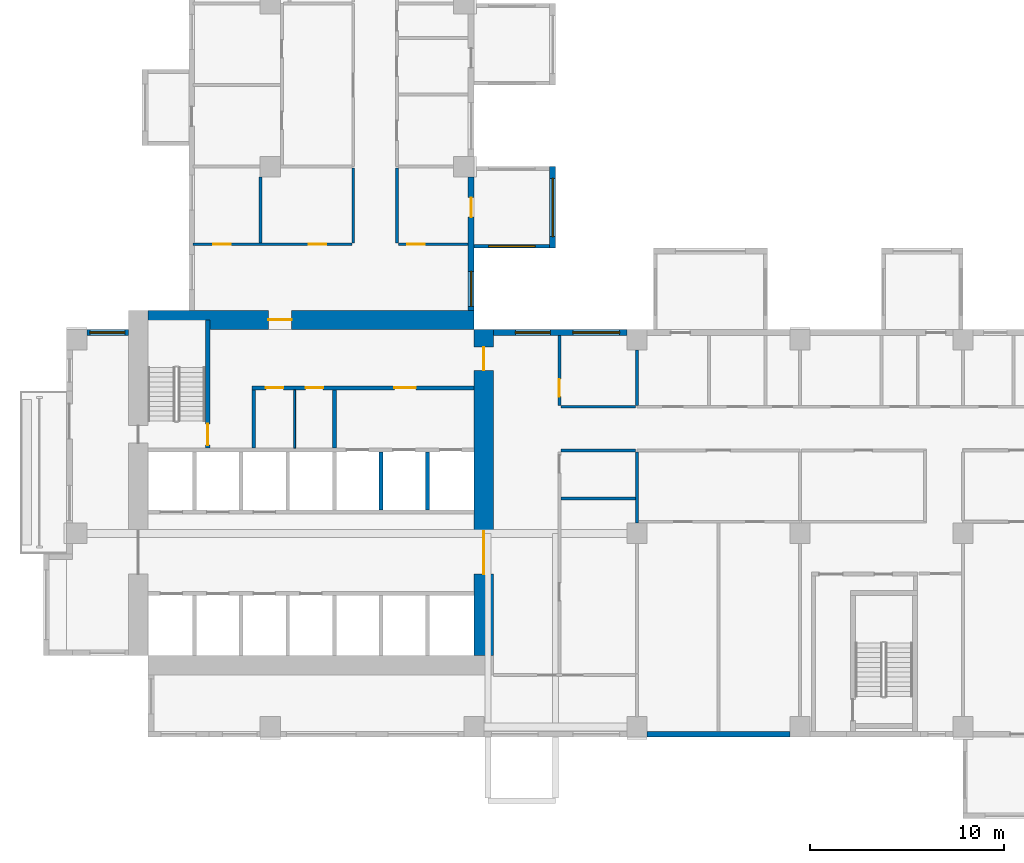
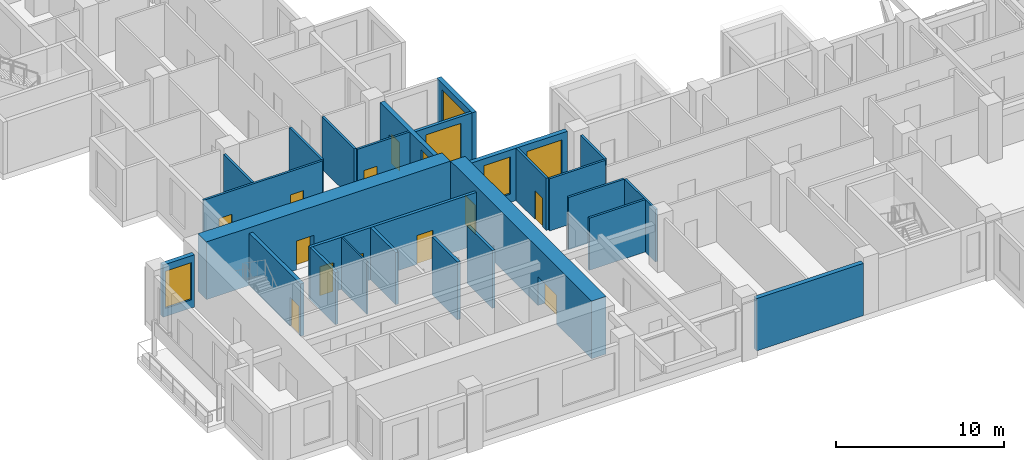
# One storey, part 3 of 15: 26 walls, 12 doors, 6 windows, 18 openings.
"""IFC4 building model written with IfcOpenShell, lengths in metres."""

from ifc_helpers import new_model, si_unit, direction, frame, frame_2d, origin, place, context, subcontext, project, spatial, rectangle, extrude, source, transform, mapped, material, layer, layer_set, type_object, element, fill, save


model = new_model("IFC4")

# Units and contexts
model_context = context("Model", 3, precision=1e-05, world=origin(), true_north=direction((0.0, 1.0)))
body_context = subcontext(model_context, "Body", "Model", "MODEL_VIEW")
ifc_project = project(units=[si_unit("LENGTHUNIT", "METRE"), si_unit("AREAUNIT", "SQUARE_METRE"), si_unit("VOLUMEUNIT", "CUBIC_METRE"), si_unit("PLANEANGLEUNIT", "RADIAN"), si_unit("MASSUNIT", "GRAM", prefix="KILO")], contexts=[model_context])

# Site, building, storey
site_placement = place(None, origin())
site = spatial("IfcSite", under=ifc_project, at=site_placement, CompositionType="ELEMENT")
building_placement = place(site_placement, origin())
building = spatial("IfcBuilding", under=site, at=building_placement, Name="Aurelian Terraces", CompositionType="ELEMENT")
storey_placement = place(building_placement, frame((0.0, 0.0, 107.7)))
storey = spatial("IfcBuildingStorey", under=building, at=storey_placement, Name="L23", CompositionType="ELEMENT", Elevation=107.7)

# Wall
ifc_material_1 = material(Name="Gypsum board on steel studs", Category="steel")
ifc_layer_1 = layer(ifc_material_1, 0.15)
ifc_layer_set_1 = layer_set([ifc_layer_1], Name="Partition 150")
wall_type_1 = type_object("IfcWallType", Name="Partition 150", PredefinedType="PARTITIONING", material=ifc_layer_set_1)
wall_1_placement = place(storey_placement, frame((29.4, 11.024, 0.0), z_axis=(0.0, 0.0, 1.0), x_axis=(0.0, 1.0, 0.0)))
element("IfcWall", 1, at=wall_1_placement, inside=storey, type_object=wall_type_1, Name="Partition", PredefinedType="PARTITIONING", context=body_context, shape_type="SweptSolid", body=[
    extrude(rectangle(XDim=3.676, YDim=0.15, at=frame_2d((1.838, 0.0))), origin(), (0.0, 0.0, 1.0), 3.8),
])

# Wall, openings, doors
wall_2_placement = place(storey_placement, frame((6.505, 25.4, 0.0), z_axis=(0.0, 0.0, 1.0), x_axis=(1.0, 0.0, 0.0)))
wall_2 = element("IfcWall", 2, at=wall_2_placement, inside=storey, type_object=wall_type_1, Name="Partition", PredefinedType="PARTITIONING", context=body_context, shape_type="SweptSolid", body=[
    extrude(rectangle(XDim=8.195, YDim=0.15, at=frame_2d((4.0975, 0.0))), origin(), (0.0, 0.0, 1.0), 3.8),
])
shared_shape_1 = source(origin(), body_context, "Body", "SweptSolid", [
    extrude(rectangle(XDim=0.9, YDim=2.1, at=frame_2d((0.45, 1.05))), frame((0.0, 0.085, 0.0), z_axis=(0.0, -1.0, 0.0), x_axis=(1.0, 0.0, 0.0)), (0.0, 0.0, 1.0), 0.17),
])
opening_1_placement = place(wall_2_placement, frame((1.045, 0.0, 0.0)))
opening_1 = element("IfcOpeningElement", 3, at=opening_1_placement, cuts=wall_2, Name="Opening 723031", PredefinedType="OPENING", context=body_context, shape_type="MappedRepresentation", body=[
    mapped(shared_shape_1, transform((0.0, 0.0, 0.0), scale=1.0)),
])
opening_2_placement = place(wall_2_placement, frame((5.97, 0.0, 0.0)))
opening_2 = element("IfcOpeningElement", 4, at=opening_2_placement, cuts=wall_2, Name="Opening 723032", PredefinedType="OPENING", context=body_context, shape_type="MappedRepresentation", body=[
    mapped(shared_shape_1, transform((0.0, 0.0, 0.0), scale=1.0)),
])
ifc_material_2 = material(Name="Timber door leaf", Category="wood")
door_type_1 = type_object("IfcDoorType", Name="Room door 900x2100 left", OperationType="SINGLE_SWING_LEFT", PredefinedType="DOOR", material=ifc_material_2)
shared_shape_2 = source(origin(), body_context, "Body", "SweptSolid", [
    extrude(rectangle(XDim=0.9, YDim=2.1, at=frame_2d((0.45, 1.05))), frame((0.0, 0.025, 0.0), z_axis=(0.0, -1.0, 0.0), x_axis=(1.0, 0.0, 0.0)), (0.0, 0.0, 1.0), 0.05),
])
door_1_placement = place(opening_1_placement, origin())
door_1 = element("IfcDoor", 5, at=door_1_placement, inside=storey, type_object=door_type_1, Name="Door 723031", OperationType="SINGLE_SWING_LEFT", OverallHeight=2.1, OverallWidth=0.9, PredefinedType="DOOR", context=body_context, shape_type="MappedRepresentation", body=[
    mapped(shared_shape_2, transform((0.0, 0.0, 0.0), scale=1.0)),
])
fill(opening_1, door_1)
door_type_2 = type_object("IfcDoorType", Name="Room door 900x2100 right", OperationType="SINGLE_SWING_RIGHT", PredefinedType="DOOR", material=ifc_material_2)
door_2_placement = place(opening_2_placement, origin())
door_2 = element("IfcDoor", 6, at=door_2_placement, inside=storey, type_object=door_type_2, Name="Door 723032", OperationType="SINGLE_SWING_RIGHT", OverallHeight=2.1, OverallWidth=0.9, PredefinedType="DOOR", context=body_context, shape_type="MappedRepresentation", body=[
    mapped(shared_shape_2, transform((0.0, 0.0, 0.0), scale=1.0)),
])
fill(opening_2, door_2)

# Wall
wall_3_placement = place(storey_placement, frame((10.0, 25.475, 0.0), z_axis=(0.0, 0.0, 1.0), x_axis=(0.0, 1.0, 0.0)))
element("IfcWall", 7, at=wall_3_placement, inside=storey, type_object=wall_type_1, Name="Partition", PredefinedType="PARTITIONING", context=body_context, shape_type="SweptSolid", body=[
    extrude(rectangle(XDim=3.401, YDim=0.15, at=frame_2d((1.7005, 0.0))), origin(), (0.0, 0.0, 1.0), 3.8),
])

# Wall, openings, doors
ifc_material_3 = material(Name="Concrete fc' 83 MPa", Category="concrete")
ifc_layer_2 = layer(ifc_material_3, 1.0)
ifc_layer_set_2 = layer_set([ifc_layer_2], Name="CORE WALL 1000 FC83")
wall_type_2 = type_object("IfcWallType", Name="CORE WALL 1000 FC83", PredefinedType="SHEAR", material=ifc_layer_set_2)
shared_shape_3 = source(origin(), body_context, "Body", "SweptSolid", [
    extrude(rectangle(XDim=16.8, YDim=1.0, at=frame_2d((8.4, 0.0))), origin(), (0.0, 0.0, 1.0), 4.2),
])
wall_4_placement = place(storey_placement, frame((21.5, 4.2, 0.0), z_axis=(0.0, 0.0, 1.0), x_axis=(0.0, 1.0, 0.0)))
wall_4 = element("IfcWall", 8, at=wall_4_placement, inside=storey, type_object=wall_type_2, Name="Core wall E L23", PredefinedType="SHEAR", context=body_context, shape_type="MappedRepresentation", body=[
    mapped(shared_shape_3, transform((0.0, 0.0, 0.0), scale=1.0)),
])
shared_shape_4 = source(origin(), body_context, "Body", "SweptSolid", [
    extrude(rectangle(XDim=2.2, YDim=2.1, at=frame_2d((1.1, 1.05))), frame((0.0, 0.51, 0.0), z_axis=(0.0, -1.0, 0.0), x_axis=(1.0, 0.0, 0.0)), (0.0, 0.0, 1.0), 1.02),
])
opening_3_placement = place(wall_4_placement, frame((4.2, 0.0, 0.0)))
opening_3 = element("IfcOpeningElement", 9, at=opening_3_placement, cuts=wall_4, Name="Opening 62620", PredefinedType="OPENING", context=body_context, shape_type="MappedRepresentation", body=[
    mapped(shared_shape_4, transform((0.0, 0.0, 0.0), scale=1.0)),
])
shared_shape_5 = source(origin(), body_context, "Body", "SweptSolid", [
    extrude(rectangle(XDim=1.2, YDim=2.1, at=frame_2d((0.6, 1.05))), frame((0.0, 0.51, 0.0), z_axis=(0.0, -1.0, 0.0), x_axis=(1.0, 0.0, 0.0)), (0.0, 0.0, 1.0), 1.02),
])
opening_4_placement = place(wall_4_placement, frame((14.7, 0.0, 0.0)))
opening_4 = element("IfcOpeningElement", 10, at=opening_4_placement, cuts=wall_4, Name="Opening 62623", PredefinedType="OPENING", context=body_context, shape_type="MappedRepresentation", body=[
    mapped(shared_shape_5, transform((0.0, 0.0, 0.0), scale=1.0)),
])
ifc_material_4 = material(Name="Steel door leaf", Category="steel")
door_type_3 = type_object("IfcDoorType", Name="Core fire door 1200x2100 right", OperationType="SINGLE_SWING_RIGHT", PredefinedType="DOOR", material=ifc_material_4)
shared_shape_6 = source(origin(), body_context, "Body", "SweptSolid", [
    extrude(rectangle(XDim=1.2, YDim=2.1, at=frame_2d((0.6, 1.05))), frame((0.0, 0.025, 0.0), z_axis=(0.0, -1.0, 0.0), x_axis=(1.0, 0.0, 0.0)), (0.0, 0.0, 1.0), 0.05),
])
door_3_placement = place(opening_4_placement, origin())
door_3 = element("IfcDoor", 11, at=door_3_placement, inside=storey, type_object=door_type_3, Name="Core door 62623", OperationType="SINGLE_SWING_RIGHT", OverallHeight=2.1, OverallWidth=1.2, PredefinedType="DOOR", context=body_context, shape_type="MappedRepresentation", body=[
    mapped(shared_shape_6, transform((0.0, 0.0, 0.0), scale=1.0)),
])
fill(opening_4, door_3)
door_type_4 = type_object("IfcDoorType", Name="Core double door 2200x2100", OperationType="DOUBLE_DOOR_SINGLE_SWING", PredefinedType="DOOR", material=ifc_material_4)
shared_shape_7 = source(origin(), body_context, "Body", "SweptSolid", [
    extrude(rectangle(XDim=2.2, YDim=2.1, at=frame_2d((1.1, 1.05))), frame((0.0, 0.025, 0.0), z_axis=(0.0, -1.0, 0.0), x_axis=(1.0, 0.0, 0.0)), (0.0, 0.0, 1.0), 0.05),
])
door_4_placement = place(opening_3_placement, origin())
door_4 = element("IfcDoor", 12, at=door_4_placement, inside=storey, type_object=door_type_4, Name="Core door 62620", OperationType="DOUBLE_DOOR_SINGLE_SWING", OverallHeight=2.1, OverallWidth=2.2, PredefinedType="DOOR", context=body_context, shape_type="MappedRepresentation", body=[
    mapped(shared_shape_7, transform((0.0, 0.0, 0.0), scale=1.0)),
])
fill(opening_3, door_4)

# Wall, opening, door
wall_5_placement = place(storey_placement, frame((4.2, 21.5, 0.0), z_axis=(0.0, 0.0, 1.0), x_axis=(1.0, 0.0, 0.0)))
wall_5 = element("IfcWall", 13, at=wall_5_placement, inside=storey, type_object=wall_type_2, Name="Core wall N L23", PredefinedType="SHEAR", context=body_context, shape_type="MappedRepresentation", body=[
    mapped(shared_shape_3, transform((0.0, 0.0, 0.0), scale=1.0)),
])
opening_5_placement = place(wall_5_placement, frame((6.2, 0.0, 0.0)))
opening_5 = element("IfcOpeningElement", 14, at=opening_5_placement, cuts=wall_5, Name="Opening 62622", PredefinedType="OPENING", context=body_context, shape_type="MappedRepresentation", body=[
    mapped(shared_shape_5, transform((0.0, 0.0, 0.0), scale=1.0)),
])
door_type_5 = type_object("IfcDoorType", Name="Core fire door 1200x2100", OperationType="SINGLE_SWING_LEFT", PredefinedType="DOOR", material=ifc_material_4)
door_5_placement = place(opening_5_placement, origin())
door_5 = element("IfcDoor", 15, at=door_5_placement, inside=storey, type_object=door_type_5, Name="Core door 62622", OperationType="SINGLE_SWING_LEFT", OverallHeight=2.1, OverallWidth=1.2, PredefinedType="DOOR", context=body_context, shape_type="MappedRepresentation", body=[
    mapped(shared_shape_6, transform((0.0, 0.0, 0.0), scale=1.0)),
])
fill(opening_5, door_5)

# Wall, opening, window
ifc_material_5 = material(Name="Concrete fc' 40 MPa", Category="concrete")
ifc_layer_3 = layer(ifc_material_5, 0.2)
ifc_layer_set_3 = layer_set([ifc_layer_3], Name="BOX BEARING WALL 200")
wall_type_3 = type_object("IfcWallType", Name="BOX BEARING WALL 200", PredefinedType="SOLIDWALL", material=ifc_layer_set_3)
shared_shape_8 = source(origin(), body_context, "Body", "SweptSolid", [
    extrude(rectangle(XDim=3.9, YDim=0.2, at=frame_2d((1.95, 0.0))), origin(), (0.0, 0.0, 1.0), 3.79),
])
wall_6_placement = place(storey_placement, frame((21.0, 25.3, 0.0), z_axis=(0.0, 0.0, 1.0), x_axis=(1.0, 0.0, 0.0)))
wall_6 = element("IfcWall", 16, at=wall_6_placement, inside=storey, type_object=wall_type_3, Name="Box return L23 J32.1", PredefinedType="SOLIDWALL", context=body_context, shape_type="MappedRepresentation", body=[
    mapped(shared_shape_8, transform((0.0, 0.0, 0.0), scale=1.0)),
])
shared_shape_9 = source(origin(), body_context, "Body", "SweptSolid", [
    extrude(rectangle(XDim=2.4, YDim=2.7, at=frame_2d((1.2, 1.35))), frame((0.0, 0.11, 0.0), z_axis=(0.0, -1.0, 0.0), x_axis=(1.0, 0.0, 0.0)), (0.0, 0.0, 1.0), 0.22),
])
opening_6_placement = place(wall_6_placement, frame((0.75, 0.0, 0.6)))
opening_6 = element("IfcOpeningElement", 17, at=opening_6_placement, cuts=wall_6, Name="Opening W2427", PredefinedType="OPENING", context=body_context, shape_type="MappedRepresentation", body=[
    mapped(shared_shape_9, transform((0.0, 0.0, 0.0), scale=1.0)),
])
ifc_material_6 = material(Name="Clear glazing", Category="glass")
window_type_1 = type_object("IfcWindowType", Name="W-2400x2700", PartitioningType="SINGLE_PANEL", PredefinedType="WINDOW", material=ifc_material_6)
shared_shape_10 = source(origin(), body_context, "Body", "SweptSolid", [
    extrude(rectangle(XDim=2.4, YDim=2.7, at=frame_2d((1.2, 1.35))), frame((0.0, 0.03, 0.0), z_axis=(0.0, -1.0, 0.0), x_axis=(1.0, 0.0, 0.0)), (0.0, 0.0, 1.0), 0.06),
])
window_1_placement = place(opening_6_placement, origin())
window_1 = element("IfcWindow", 18, at=window_1_placement, inside=storey, type_object=window_type_1, Name="Window L23 J32-S1", OverallHeight=2.7, OverallWidth=2.4, PartitioningType="SINGLE_PANEL", PredefinedType="WINDOW", context=body_context, shape_type="MappedRepresentation", body=[
    mapped(shared_shape_10, transform((0.0, 0.0, 0.0), scale=1.0)),
])
fill(opening_6, window_1)

ifc_layer_4 = layer(ifc_material_5, 0.3)
ifc_layer_set_4 = layer_set([ifc_layer_4], Name="BOX BEARING WALL 300")
wall_type_4 = type_object("IfcWallType", Name="BOX BEARING WALL 300", PredefinedType="SOLIDWALL", material=ifc_layer_set_4)
shared_shape_11 = source(origin(), body_context, "Body", "SweptSolid", [
    extrude(rectangle(XDim=4.2, YDim=0.3, at=frame_2d((2.1, 0.0))), origin(), (0.0, 0.0, 1.0), 3.79),
])
wall_7_placement = place(storey_placement, frame((25.05, 25.2, 0.0), z_axis=(0.0, 0.0, 1.0), x_axis=(0.0, 1.0, 0.0)))
wall_7 = element("IfcWall", 19, at=wall_7_placement, inside=storey, type_object=wall_type_4, Name="Box wall L23 J32", PredefinedType="SOLIDWALL", context=body_context, shape_type="MappedRepresentation", body=[
    mapped(shared_shape_11, transform((0.0, 0.0, 0.0), scale=1.0)),
])
shared_shape_12 = source(origin(), body_context, "Body", "SweptSolid", [
    extrude(rectangle(XDim=3.0, YDim=2.7, at=frame_2d((1.5, 1.35))), frame((0.0, 0.16, 0.0), z_axis=(0.0, -1.0, 0.0), x_axis=(1.0, 0.0, 0.0)), (0.0, 0.0, 1.0), 0.32),
])
opening_7_placement = place(wall_7_placement, frame((0.6, 0.0, 0.6)))
opening_7 = element("IfcOpeningElement", 20, at=opening_7_placement, cuts=wall_7, Name="Opening W3027", PredefinedType="OPENING", context=body_context, shape_type="MappedRepresentation", body=[
    mapped(shared_shape_12, transform((0.0, 0.0, 0.0), scale=1.0)),
])
window_type_2 = type_object("IfcWindowType", Name="W-3000x2700", PartitioningType="SINGLE_PANEL", PredefinedType="WINDOW", material=ifc_material_6)
shared_shape_13 = source(origin(), body_context, "Body", "SweptSolid", [
    extrude(rectangle(XDim=3.0, YDim=2.7, at=frame_2d((1.5, 1.35))), frame((0.0, 0.03, 0.0), z_axis=(0.0, -1.0, 0.0), x_axis=(1.0, 0.0, 0.0)), (0.0, 0.0, 1.0), 0.06),
])
window_2_placement = place(opening_7_placement, origin())
window_2 = element("IfcWindow", 21, at=window_2_placement, inside=storey, type_object=window_type_2, Name="Window L23 J32-F1", OverallHeight=2.7, OverallWidth=3.0, PartitioningType="SINGLE_PANEL", PredefinedType="WINDOW", context=body_context, shape_type="MappedRepresentation", body=[
    mapped(shared_shape_13, transform((0.0, 0.0, 0.0), scale=1.0)),
])
fill(opening_7, window_2)

# Wall
ifc_material_7 = material(Name="Terracotta rainscreen cladding", Category="masonry")
ifc_layer_5 = layer(ifc_material_7, 0.3)
ifc_layer_set_5 = layer_set([ifc_layer_5], Name="EW-300")
wall_type_5 = type_object("IfcWallType", Name="EW-300", PredefinedType="STANDARD", material=ifc_layer_set_5)
shared_shape_14 = source(origin(), body_context, "Body", "SweptSolid", [
    extrude(rectangle(XDim=7.35, YDim=0.3, at=frame_2d((3.675, 0.0))), origin(), (0.0, 0.0, 1.0), 3.8),
])
wall_8_placement = place(storey_placement, frame((29.925, 0.15, 0.0), z_axis=(0.0, 0.0, 1.0), x_axis=(1.0, 0.0, 0.0)))
element("IfcWall", 22, at=wall_8_placement, inside=storey, type_object=wall_type_5, Name="External wall L23 F01.5", PredefinedType="STANDARD", context=body_context, shape_type="MappedRepresentation", body=[
    mapped(shared_shape_14, transform((0.0, 0.0, 0.0), scale=1.0)),
])

# Wall, openings, windows
shared_shape_15 = source(origin(), body_context, "Body", "SweptSolid", [
    extrude(rectangle(XDim=6.875, YDim=0.3, at=frame_2d((3.4375, 0.0))), origin(), (0.0, 0.0, 1.0), 3.8),
])
wall_9_placement = place(storey_placement, frame((28.875, 20.85, 0.0), z_axis=(0.0, 0.0, 1.0), x_axis=(-1.0, 0.0, 0.0)))
wall_9 = element("IfcWall", 23, at=wall_9_placement, inside=storey, type_object=wall_type_5, Name="External wall L23 F07.20", PredefinedType="STANDARD", context=body_context, shape_type="MappedRepresentation", body=[
    mapped(shared_shape_15, transform((0.0, 0.0, 0.0), scale=1.0)),
])
shared_shape_16 = source(origin(), body_context, "Body", "SweptSolid", [
    extrude(rectangle(XDim=2.4, YDim=2.7, at=frame_2d((1.2, 1.35))), frame((0.0, 0.16, 0.0), z_axis=(0.0, -1.0, 0.0), x_axis=(1.0, 0.0, 0.0)), (0.0, 0.0, 1.0), 0.32),
])
opening_8_placement = place(wall_9_placement, frame((0.375, 0.0, 0.6)))
opening_8 = element("IfcOpeningElement", 24, at=opening_8_placement, cuts=wall_9, Name="Opening W2427", PredefinedType="OPENING", context=body_context, shape_type="MappedRepresentation", body=[
    mapped(shared_shape_16, transform((0.0, 0.0, 0.0), scale=1.0)),
])
shared_shape_17 = source(origin(), body_context, "Body", "SweptSolid", [
    extrude(rectangle(XDim=1.8, YDim=2.7, at=frame_2d((0.9, 1.35))), frame((0.0, 0.16, 0.0), z_axis=(0.0, -1.0, 0.0), x_axis=(1.0, 0.0, 0.0)), (0.0, 0.0, 1.0), 0.32),
])
opening_9_placement = place(wall_9_placement, frame((3.9375, 0.0, 0.6)))
opening_9 = element("IfcOpeningElement", 25, at=opening_9_placement, cuts=wall_9, Name="Opening W1827", PredefinedType="OPENING", context=body_context, shape_type="MappedRepresentation", body=[
    mapped(shared_shape_17, transform((0.0, 0.0, 0.0), scale=1.0)),
])
window_3_placement = place(opening_8_placement, origin())
window_3 = element("IfcWindow", 26, at=window_3_placement, inside=storey, type_object=window_type_1, Name="Window L23 L23-F07-20-3", OverallHeight=2.7, OverallWidth=2.4, PartitioningType="SINGLE_PANEL", PredefinedType="WINDOW", context=body_context, shape_type="MappedRepresentation", body=[
    mapped(shared_shape_10, transform((0.0, 0.0, 0.0), scale=1.0)),
])
fill(opening_8, window_3)
window_type_3 = type_object("IfcWindowType", Name="W-1800x2700", PartitioningType="SINGLE_PANEL", PredefinedType="WINDOW", material=ifc_material_6)
shared_shape_18 = source(origin(), body_context, "Body", "SweptSolid", [
    extrude(rectangle(XDim=1.8, YDim=2.7, at=frame_2d((0.9, 1.35))), frame((0.0, 0.03, 0.0), z_axis=(0.0, -1.0, 0.0), x_axis=(1.0, 0.0, 0.0)), (0.0, 0.0, 1.0), 0.06),
])
window_4_placement = place(opening_9_placement, origin())
window_4 = element("IfcWindow", 27, at=window_4_placement, inside=storey, type_object=window_type_3, Name="Window L23 L23-F07-20-G2-201", OverallHeight=2.7, OverallWidth=1.8, PartitioningType="SINGLE_PANEL", PredefinedType="WINDOW", context=body_context, shape_type="MappedRepresentation", body=[
    mapped(shared_shape_18, transform((0.0, 0.0, 0.0), scale=1.0)),
])
fill(opening_9, window_4)

# Wall, openings, window, door
wall_10_placement = place(storey_placement, frame((20.85, 22.0, 0.0), z_axis=(0.0, 0.0, 1.0), x_axis=(0.0, 1.0, 0.0)))
wall_10 = element("IfcWall", 28, at=wall_10_placement, inside=storey, type_object=wall_type_5, Name="External wall L23 F08.21", PredefinedType="STANDARD", context=body_context, shape_type="MappedRepresentation", body=[
    mapped(shared_shape_15, transform((0.0, 0.0, 0.0), scale=1.0)),
])
opening_10_placement = place(wall_10_placement, frame((0.2, 0.0, 0.6)))
opening_10 = element("IfcOpeningElement", 29, at=opening_10_placement, cuts=wall_10, Name="Opening W1827", PredefinedType="OPENING", context=body_context, shape_type="MappedRepresentation", body=[
    mapped(shared_shape_17, transform((0.0, 0.0, 0.0), scale=1.0)),
])
shared_shape_19 = source(origin(), body_context, "Body", "SweptSolid", [
    extrude(rectangle(XDim=1.0, YDim=2.1, at=frame_2d((0.5, 1.05))), frame((0.0, 0.16, 0.0), z_axis=(0.0, -1.0, 0.0), x_axis=(1.0, 0.0, 0.0)), (0.0, 0.0, 1.0), 0.32),
])
opening_11_placement = place(wall_10_placement, frame((4.8, 0.0, 0.0)))
opening_11 = element("IfcOpeningElement", 30, at=opening_11_placement, cuts=wall_10, Name="Opening 823004", PredefinedType="OPENING", context=body_context, shape_type="MappedRepresentation", body=[
    mapped(shared_shape_19, transform((0.0, 0.0, 0.0), scale=1.0)),
])
window_5_placement = place(opening_10_placement, origin())
window_5 = element("IfcWindow", 31, at=window_5_placement, inside=storey, type_object=window_type_3, Name="Window L23 L23-F08-21-0", OverallHeight=2.7, OverallWidth=1.8, PartitioningType="SINGLE_PANEL", PredefinedType="WINDOW", context=body_context, shape_type="MappedRepresentation", body=[
    mapped(shared_shape_18, transform((0.0, 0.0, 0.0), scale=1.0)),
])
fill(opening_10, window_5)
door_type_6 = type_object("IfcDoorType", Name="Room door 1000x2100 left", OperationType="SINGLE_SWING_LEFT", PredefinedType="DOOR", material=ifc_material_2)
shared_shape_20 = source(origin(), body_context, "Body", "SweptSolid", [
    extrude(rectangle(XDim=1.0, YDim=2.1, at=frame_2d((0.5, 1.05))), frame((0.0, 0.025, 0.0), z_axis=(0.0, -1.0, 0.0), x_axis=(1.0, 0.0, 0.0)), (0.0, 0.0, 1.0), 0.05),
])
door_6_placement = place(opening_11_placement, origin())
door_6 = element("IfcDoor", 32, at=door_6_placement, inside=storey, type_object=door_type_6, Name="Door 823004", OperationType="SINGLE_SWING_LEFT", OverallHeight=2.1, OverallWidth=1.0, PredefinedType="DOOR", context=body_context, shape_type="MappedRepresentation", body=[
    mapped(shared_shape_20, transform((0.0, 0.0, 0.0), scale=1.0)),
])
fill(opening_11, door_6)

# Wall, opening, window
shared_shape_21 = source(origin(), body_context, "Body", "SweptSolid", [
    extrude(rectangle(XDim=2.15, YDim=0.3, at=frame_2d((1.075, 0.0))), origin(), (0.0, 0.0, 1.0), 3.8),
])
wall_11_placement = place(storey_placement, frame((3.2, 20.85, 0.0), z_axis=(0.0, 0.0, 1.0), x_axis=(-1.0, 0.0, 0.0)))
wall_11 = element("IfcWall", 33, at=wall_11_placement, inside=storey, type_object=wall_type_5, Name="External wall L23 F19.36", PredefinedType="STANDARD", context=body_context, shape_type="MappedRepresentation", body=[
    mapped(shared_shape_21, transform((0.0, 0.0, 0.0), scale=1.0)),
])
opening_12_placement = place(wall_11_placement, frame((0.2, 0.0, 0.6)))
opening_12 = element("IfcOpeningElement", 34, at=opening_12_placement, cuts=wall_11, Name="Opening W1827", PredefinedType="OPENING", context=body_context, shape_type="MappedRepresentation", body=[
    mapped(shared_shape_17, transform((0.0, 0.0, 0.0), scale=1.0)),
])
window_6_placement = place(opening_12_placement, origin())
window_6 = element("IfcWindow", 35, at=window_6_placement, inside=storey, type_object=window_type_3, Name="Window L23 L23-F19-36-0", OverallHeight=2.7, OverallWidth=1.8, PartitioningType="SINGLE_PANEL", PredefinedType="WINDOW", context=body_context, shape_type="MappedRepresentation", body=[
    mapped(shared_shape_18, transform((0.0, 0.0, 0.0), scale=1.0)),
])
fill(opening_12, window_6)

# Walls
ifc_layer_6 = layer(ifc_material_5, 0.2)
ifc_layer_set_6 = layer_set([ifc_layer_6], Name="Lift shaft wall 200")
wall_type_6 = type_object("IfcWallType", Name="Lift shaft wall 200", PredefinedType="SOLIDWALL", material=ifc_layer_set_6)
shared_shape_22 = source(origin(), body_context, "Body", "SweptSolid", [
    extrude(rectangle(XDim=3.0, YDim=0.2, at=frame_2d((1.5, 0.0))), origin(), (0.0, 0.0, 1.0), 4.2),
])
for number, where, z_axis, x_axis, name in (
    (36, (16.2, 11.7, 0.0), (0.0, 0.0, 1.0), (0.0, 1.0, 0.0), "L23 core wall CD-B5"),
    (37, (18.6, 11.7, 0.0), (0.0, 0.0, 1.0), (0.0, 1.0, 0.0), "L23 core wall CD-B6"),
):
    element("IfcWall", number, at=place(storey_placement, frame(where, z_axis=z_axis, x_axis=x_axis)), inside=storey, type_object=wall_type_6, Name=name, PredefinedType="SOLIDWALL", context=body_context, shape_type="MappedRepresentation", body=[
        mapped(shared_shape_22, transform((0.0, 0.0, 0.0), scale=1.0)),
    ])
ifc_layer_7 = layer(ifc_material_1, 0.2)
ifc_layer_set_7 = layer_set([ifc_layer_7], Name="Core partition 200")
wall_type_7 = type_object("IfcWallType", Name="Core partition 200", PredefinedType="PARTITIONING", material=ifc_layer_set_7)
shared_shape_23 = source(origin(), body_context, "Body", "SweptSolid", [
    extrude(rectangle(XDim=3.0, YDim=0.2, at=frame_2d((1.5, 0.0))), origin(), (0.0, 0.0, 1.0), 3.8),
])
for number, where, z_axis, x_axis, name in (
    (38, (9.65, 14.9, 0.0), (0.0, 0.0, 1.0), (0.0, 1.0, 0.0), "L23 core wall CP-VEST"),
    (39, (13.8, 14.9, 0.0), (0.0, 0.0, 1.0), (0.0, 1.0, 0.0), "L23 core wall CP-FFL"),
):
    element("IfcWall", number, at=place(storey_placement, frame(where, z_axis=z_axis, x_axis=x_axis)), inside=storey, type_object=wall_type_7, Name=name, PredefinedType="PARTITIONING", context=body_context, shape_type="MappedRepresentation", body=[
        mapped(shared_shape_23, transform((0.0, 0.0, 0.0), scale=1.0)),
    ])
ifc_layer_8 = layer(ifc_material_1, 0.1)
ifc_layer_set_8 = layer_set([ifc_layer_8], Name="Core partition 100")
wall_type_8 = type_object("IfcWallType", Name="Core partition 100", PredefinedType="PARTITIONING", material=ifc_layer_set_8)
shared_shape_24 = source(origin(), body_context, "Body", "SweptSolid", [
    extrude(rectangle(XDim=3.0, YDim=0.1, at=frame_2d((1.5, 0.0))), origin(), (0.0, 0.0, 1.0), 3.8),
])
wall_12_placement = place(storey_placement, frame((11.75, 14.9, 0.0), z_axis=(0.0, 0.0, 1.0), x_axis=(0.0, 1.0, 0.0)))
element("IfcWall", 40, at=wall_12_placement, inside=storey, type_object=wall_type_8, Name="L23 core wall CP-SV1", PredefinedType="PARTITIONING", context=body_context, shape_type="MappedRepresentation", body=[
    mapped(shared_shape_24, transform((0.0, 0.0, 0.0), scale=1.0)),
])

# Wall, opening, door
ifc_layer_9 = layer(ifc_material_5, 0.25)
ifc_layer_set_9 = layer_set([ifc_layer_9], Name="Stair enclosure wall 250")
wall_type_9 = type_object("IfcWallType", Name="Stair enclosure wall 250", PredefinedType="SOLIDWALL", material=ifc_layer_set_9)
shared_shape_25 = source(origin(), body_context, "Body", "SweptSolid", [
    extrude(rectangle(XDim=6.6, YDim=0.25, at=frame_2d((3.3, 0.0))), origin(), (0.0, 0.0, 1.0), 3.8),
])
wall_13_placement = place(storey_placement, frame((7.275, 14.9, 0.0), z_axis=(0.0, 0.0, 1.0), x_axis=(0.0, 1.0, 0.0)))
wall_13 = element("IfcWall", 41, at=wall_13_placement, inside=storey, type_object=wall_type_9, Name="L23 core wall ST-S1-E", PredefinedType="SOLIDWALL", context=body_context, shape_type="MappedRepresentation", body=[
    mapped(shared_shape_25, transform((0.0, 0.0, 0.0), scale=1.0)),
])
shared_shape_26 = source(origin(), body_context, "Body", "SweptSolid", [
    extrude(rectangle(XDim=1.1, YDim=2.1, at=frame_2d((0.55, 1.05))), frame((0.0, 0.135, 0.0), z_axis=(0.0, -1.0, 0.0), x_axis=(1.0, 0.0, 0.0)), (0.0, 0.0, 1.0), 0.27),
])
opening_13_placement = place(wall_13_placement, frame((0.15, 0.0, 0.0)))
opening_13 = element("IfcOpeningElement", 42, at=opening_13_placement, cuts=wall_13, Name="Opening 62610", PredefinedType="OPENING", context=body_context, shape_type="MappedRepresentation", body=[
    mapped(shared_shape_26, transform((0.0, 0.0, 0.0), scale=1.0)),
])
door_type_7 = type_object("IfcDoorType", Name="Core fire door 1100x2100", OperationType="SINGLE_SWING_LEFT", PredefinedType="DOOR", material=ifc_material_4)
shared_shape_27 = source(origin(), body_context, "Body", "SweptSolid", [
    extrude(rectangle(XDim=1.1, YDim=2.1, at=frame_2d((0.55, 1.05))), frame((0.0, 0.025, 0.0), z_axis=(0.0, -1.0, 0.0), x_axis=(1.0, 0.0, 0.0)), (0.0, 0.0, 1.0), 0.05),
])
door_7_placement = place(opening_13_placement, origin())
door_7 = element("IfcDoor", 43, at=door_7_placement, inside=storey, type_object=door_type_7, Name="Stair door 62610", OperationType="SINGLE_SWING_LEFT", OverallHeight=2.1, OverallWidth=1.1, PredefinedType="DOOR", context=body_context, shape_type="MappedRepresentation", body=[
    mapped(shared_shape_27, transform((0.0, 0.0, 0.0), scale=1.0)),
])
fill(opening_13, door_7)

# Wall, openings, doors
shared_shape_28 = source(origin(), body_context, "Body", "SweptSolid", [
    extrude(rectangle(XDim=11.45, YDim=0.2, at=frame_2d((5.725, 0.0))), origin(), (0.0, 0.0, 1.0), 3.8),
])
wall_14_placement = place(storey_placement, frame((9.55, 18.0, 0.0), z_axis=(0.0, 0.0, 1.0), x_axis=(1.0, 0.0, 0.0)))
wall_14 = element("IfcWall", 44, at=wall_14_placement, inside=storey, type_object=wall_type_7, Name="L23 core wall CP-NORTH", PredefinedType="PARTITIONING", context=body_context, shape_type="MappedRepresentation", body=[
    mapped(shared_shape_28, transform((0.0, 0.0, 0.0), scale=1.0)),
])
shared_shape_29 = source(origin(), body_context, "Body", "SweptSolid", [
    extrude(rectangle(XDim=0.9, YDim=2.1, at=frame_2d((0.45, 1.05))), frame((0.0, 0.11, 0.0), z_axis=(0.0, -1.0, 0.0), x_axis=(1.0, 0.0, 0.0)), (0.0, 0.0, 1.0), 0.22),
])
opening_14_placement = place(wall_14_placement, frame((0.725, 0.0, 0.0)))
opening_14 = element("IfcOpeningElement", 45, at=opening_14_placement, cuts=wall_14, Name="Opening 62611", PredefinedType="OPENING", context=body_context, shape_type="MappedRepresentation", body=[
    mapped(shared_shape_29, transform((0.0, 0.0, 0.0), scale=1.0)),
])
opening_15_placement = place(wall_14_placement, frame((2.775, 0.0, 0.0)))
opening_15 = element("IfcOpeningElement", 46, at=opening_15_placement, cuts=wall_14, Name="Opening 62612", PredefinedType="OPENING", context=body_context, shape_type="MappedRepresentation", body=[
    mapped(shared_shape_29, transform((0.0, 0.0, 0.0), scale=1.0)),
])
shared_shape_30 = source(origin(), body_context, "Body", "SweptSolid", [
    extrude(rectangle(XDim=1.1, YDim=2.1, at=frame_2d((0.55, 1.05))), frame((0.0, 0.11, 0.0), z_axis=(0.0, -1.0, 0.0), x_axis=(1.0, 0.0, 0.0)), (0.0, 0.0, 1.0), 0.22),
])
opening_16_placement = place(wall_14_placement, frame((7.35, 0.0, 0.0)))
opening_16 = element("IfcOpeningElement", 47, at=opening_16_placement, cuts=wall_14, Name="Opening 62613", PredefinedType="OPENING", context=body_context, shape_type="MappedRepresentation", body=[
    mapped(shared_shape_30, transform((0.0, 0.0, 0.0), scale=1.0)),
])
door_type_8 = type_object("IfcDoorType", Name="Core service door 900x2100 right", OperationType="SINGLE_SWING_RIGHT", PredefinedType="DOOR", material=ifc_material_4)
door_8_placement = place(opening_14_placement, origin())
door_8 = element("IfcDoor", 48, at=door_8_placement, inside=storey, type_object=door_type_8, Name="Room door 62611", OperationType="SINGLE_SWING_RIGHT", OverallHeight=2.1, OverallWidth=0.9, PredefinedType="DOOR", context=body_context, shape_type="MappedRepresentation", body=[
    mapped(shared_shape_2, transform((0.0, 0.0, 0.0), scale=1.0)),
])
fill(opening_14, door_8)
door_type_9 = type_object("IfcDoorType", Name="Core service door 900x2100", OperationType="SINGLE_SWING_LEFT", PredefinedType="DOOR", material=ifc_material_4)
door_9_placement = place(opening_15_placement, origin())
door_9 = element("IfcDoor", 49, at=door_9_placement, inside=storey, type_object=door_type_9, Name="Room door 62612", OperationType="SINGLE_SWING_LEFT", OverallHeight=2.1, OverallWidth=0.9, PredefinedType="DOOR", context=body_context, shape_type="MappedRepresentation", body=[
    mapped(shared_shape_2, transform((0.0, 0.0, 0.0), scale=1.0)),
])
fill(opening_15, door_9)
door_type_10 = type_object("IfcDoorType", Name="Core fire door 1100x2100 right", OperationType="SINGLE_SWING_RIGHT", PredefinedType="DOOR", material=ifc_material_4)
door_10_placement = place(opening_16_placement, origin())
door_10 = element("IfcDoor", 50, at=door_10_placement, inside=storey, type_object=door_type_10, Name="Ff lobby door 62613", OperationType="SINGLE_SWING_RIGHT", OverallHeight=2.1, OverallWidth=1.1, PredefinedType="DOOR", context=body_context, shape_type="MappedRepresentation", body=[
    mapped(shared_shape_27, transform((0.0, 0.0, 0.0), scale=1.0)),
])
fill(opening_16, door_10)

# Wall, opening, door
shared_shape_31 = source(origin(), body_context, "Body", "SweptSolid", [
    extrude(rectangle(XDim=3.6, YDim=0.15, at=frame_2d((1.8, 0.0))), origin(), (0.0, 0.0, 1.0), 3.8),
])
wall_15_placement = place(storey_placement, frame((25.4, 20.7, 0.0), z_axis=(0.0, 0.0, 1.0), x_axis=(0.0, -1.0, 0.0)))
wall_15 = element("IfcWall", 51, at=wall_15_placement, inside=storey, type_object=wall_type_1, Name="Partition", PredefinedType="PARTITIONING", context=body_context, shape_type="MappedRepresentation", body=[
    mapped(shared_shape_31, transform((0.0, 0.0, 0.0), scale=1.0)),
])
opening_17_placement = place(wall_15_placement, frame((2.25, 0.0, 0.0)))
opening_17 = element("IfcOpeningElement", 52, at=opening_17_placement, cuts=wall_15, Name="Opening 723003", PredefinedType="OPENING", context=body_context, shape_type="MappedRepresentation", body=[
    mapped(shared_shape_1, transform((0.0, 0.0, 0.0), scale=1.0)),
])
door_11_placement = place(opening_17_placement, origin())
door_11 = element("IfcDoor", 53, at=door_11_placement, inside=storey, type_object=door_type_1, Name="Door 723003", OperationType="SINGLE_SWING_LEFT", OverallHeight=2.1, OverallWidth=0.9, PredefinedType="DOOR", context=body_context, shape_type="MappedRepresentation", body=[
    mapped(shared_shape_2, transform((0.0, 0.0, 0.0), scale=1.0)),
])
fill(opening_17, door_11)

wall_16_placement = place(storey_placement, frame((17.1, 25.4, 0.0), z_axis=(0.0, 0.0, 1.0), x_axis=(1.0, 0.0, 0.0)))
wall_16 = element("IfcWall", 54, at=wall_16_placement, inside=storey, type_object=wall_type_1, Name="Partition", PredefinedType="PARTITIONING", context=body_context, shape_type="MappedRepresentation", body=[
    mapped(shared_shape_31, transform((0.0, 0.0, 0.0), scale=1.0)),
])
opening_18_placement = place(wall_16_placement, frame((0.45, 0.0, 0.0)))
opening_18 = element("IfcOpeningElement", 55, at=opening_18_placement, cuts=wall_16, Name="Opening 723033", PredefinedType="OPENING", context=body_context, shape_type="MappedRepresentation", body=[
    mapped(shared_shape_1, transform((0.0, 0.0, 0.0), scale=1.0)),
])
door_12_placement = place(opening_18_placement, origin())
door_12 = element("IfcDoor", 56, at=door_12_placement, inside=storey, type_object=door_type_1, Name="Door 723033", OperationType="SINGLE_SWING_LEFT", OverallHeight=2.1, OverallWidth=0.9, PredefinedType="DOOR", context=body_context, shape_type="MappedRepresentation", body=[
    mapped(shared_shape_2, transform((0.0, 0.0, 0.0), scale=1.0)),
])
fill(opening_18, door_12)

# Walls
shared_shape_32 = source(origin(), body_context, "Body", "SweptSolid", [
    extrude(rectangle(XDim=3.85, YDim=0.15, at=frame_2d((1.925, 0.0))), origin(), (0.0, 0.0, 1.0), 3.8),
])
wall_17_placement = place(storey_placement, frame((29.325, 12.3, 0.0), z_axis=(0.0, 0.0, 1.0), x_axis=(-1.0, 0.0, 0.0)))
element("IfcWall", 57, at=wall_17_placement, inside=storey, type_object=wall_type_1, Name="Partition", PredefinedType="PARTITIONING", context=body_context, shape_type="MappedRepresentation", body=[
    mapped(shared_shape_32, transform((0.0, 0.0, 0.0), scale=1.0)),
])
ifc_layer_10 = layer(ifc_material_1, 0.15)
ifc_layer_set_10 = layer_set([ifc_layer_10], Name="Fire partition 150")
wall_type_10 = type_object("IfcWallType", Name="Fire partition 150", PredefinedType="PARTITIONING", material=ifc_layer_set_10)
for number, where, z_axis, x_axis, name in (
    (58, (29.325, 14.775, 0.0), (0.0, 0.0, 1.0), (-1.0, 0.0, 0.0), "Corridor wall"),
    (59, (25.475, 17.025, 0.0), (0.0, 0.0, 1.0), (1.0, 0.0, 0.0), "Corridor wall"),
    (60, (14.775, 25.475, 0.0), (0.0, 0.0, 1.0), (0.0, 1.0, 0.0), "Corridor wall"),
    (61, (17.025, 29.325, 0.0), (0.0, 0.0, 1.0), (0.0, -1.0, 0.0), "Corridor wall"),
):
    element("IfcWall", number, at=place(storey_placement, frame(where, z_axis=z_axis, x_axis=x_axis)), inside=storey, type_object=wall_type_10, Name=name, PredefinedType="PARTITIONING", context=body_context, shape_type="MappedRepresentation", body=[
        mapped(shared_shape_32, transform((0.0, 0.0, 0.0), scale=1.0)),
    ])
shared_shape_33 = source(origin(), body_context, "Body", "SweptSolid", [
    extrude(rectangle(XDim=2.851, YDim=0.15, at=frame_2d((1.4255, 0.0))), origin(), (0.0, 0.0, 1.0), 3.8),
])
wall_18_placement = place(storey_placement, frame((29.4, 17.1, 0.0), z_axis=(0.0, 0.0, 1.0), x_axis=(0.0, 1.0, 0.0)))
element("IfcWall", 62, at=wall_18_placement, inside=storey, type_object=wall_type_1, Name="Partition", PredefinedType="PARTITIONING", context=body_context, shape_type="MappedRepresentation", body=[
    mapped(shared_shape_33, transform((0.0, 0.0, 0.0), scale=1.0)),
])

save(model, "model.ifc")
